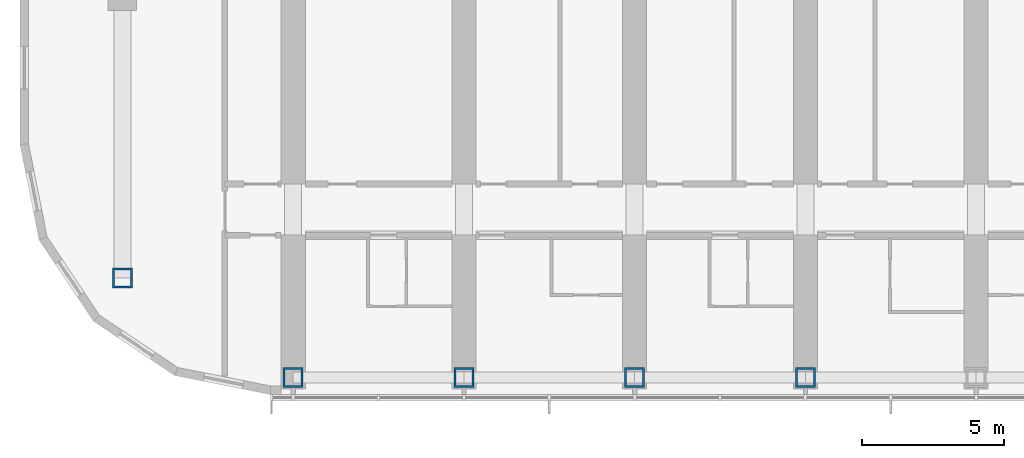
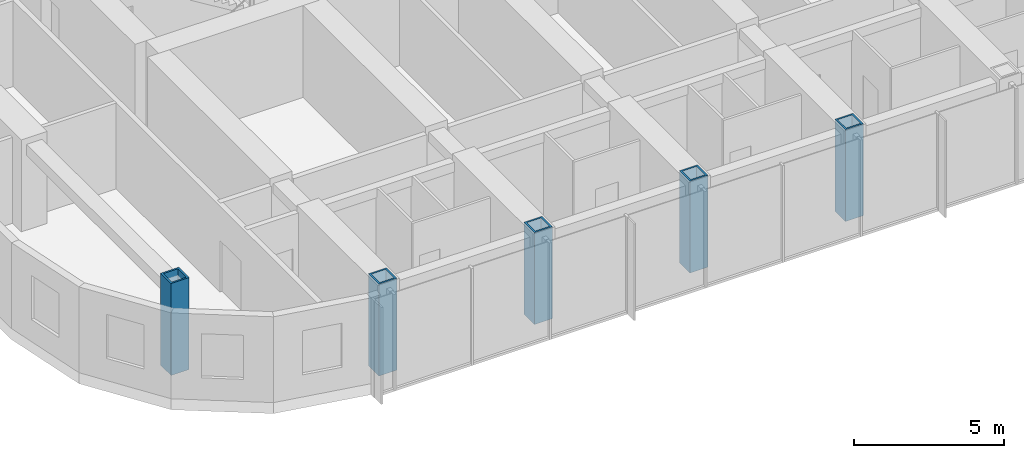
# One storey, part 1 of 29: 5 columns.
"""IFC4 building model written with IfcOpenShell, lengths in metres."""

import ifcopenshell
import ifcopenshell.guid

model = None  # the IFC model being written
_history = None  # IfcOwnerHistory: only IFC2X3 demands one
_inside = {}  # id of a spatial element -> (the spatial element, [elements in it])
_under = {}  # id of a project, library or spatial element -> (it, [spatial elements below it])
_declared = {}  # id of a project -> (the project, [libraries it declares])
_typed = {}  # id of a type object -> (the type object, [elements of that type])
_made_of = {}  # id of a material, layer set ... -> (it, [elements and type objects made of it])


def new_model(schema):
    """Start an empty IFC model of exactly this schema.

    Asked for "IFC4X3", IfcOpenShell would pick the latest addendum, in which some entities
    have other attributes; the version numbers below select the first issue.
    IFC2X3 requires an IfcOwnerHistory on every rooted entity: one is made here for all.
    """
    global model, _history
    if schema == "IFC4X3":
        model = ifcopenshell.file(schema_version=(4, 3, 0, 0))
    else:
        model = ifcopenshell.file(schema=schema)
    _inside.clear()
    _under.clear()
    _declared.clear()
    _typed.clear()
    _made_of.clear()
    _history = None
    if model.schema == "IFC2X3":
        org = make("IfcOrganization", Name="unknown")
        user = make(
            "IfcPersonAndOrganization",
            ThePerson=make("IfcPerson", FamilyName="unknown"),
            TheOrganization=org,
        )
        app = make(
            "IfcApplication",
            ApplicationDeveloper=org,
            Version="unknown",
            ApplicationFullName="unknown",
            ApplicationIdentifier="unknown",
        )
        _history = make(
            "IfcOwnerHistory",
            OwningUser=user,
            OwningApplication=app,
            ChangeAction="ADDED",
            CreationDate=0,
        )
    return model


def make(cls, **values):
    """One entity of the class cls with the attributes given. An attribute that is None is left unset."""
    return model.create_entity(
        cls, **{name: value for name, value in values.items() if value is not None}
    )


def rooted(cls, **values):
    """An entity with a GlobalId (a new one), such as an element, a storey or a relation."""
    return make(cls, GlobalId=ifcopenshell.guid.new(), OwnerHistory=_history, **values)


def si_unit(unit_type, name, prefix=None):
    """IfcSIUnit, for example si_unit("LENGTHUNIT", "METRE", prefix="MILLI")."""
    return make("IfcSIUnit", UnitType=unit_type, Prefix=prefix, Name=name)


def assignment(units):
    """IfcUnitAssignment: the units of a project."""
    return None if units is None else make("IfcUnitAssignment", Units=units)


def point(xyz):
    """IfcCartesianPoint."""
    return None if xyz is None else make("IfcCartesianPoint", Coordinates=xyz)


def direction(xyz):
    """IfcDirection."""
    return None if xyz is None else make("IfcDirection", DirectionRatios=xyz)


def frame(location, z_axis=None, x_axis=None):
    """IfcAxis2Placement3D, a coordinate frame: its origin and axes. An axis left out is left unset."""
    return make(
        "IfcAxis2Placement3D",
        Location=point(location),
        Axis=direction(z_axis),
        RefDirection=direction(x_axis),
    )


def frame_2d(location, x_axis=None):
    """IfcAxis2Placement2D, a coordinate frame in the plane: its origin and x axis."""
    return make(
        "IfcAxis2Placement2D", Location=point(location), RefDirection=direction(x_axis)
    )


def origin():
    """The frame at (0, 0, 0) with its axes left unset."""
    return frame((0.0, 0.0, 0.0))


def origin_2d():
    """The frame at (0, 0) in the plane with its x axis left unset."""
    return frame_2d((0.0, 0.0))


def place(relative_to, where):
    """IfcLocalPlacement: puts the frame where relative to a parent placement (None: the world)."""
    return make(
        "IfcLocalPlacement", PlacementRelTo=relative_to, RelativePlacement=where
    )


def context(
    kind, dimensions, precision=None, world=None, true_north=None, identifier=None
):
    """IfcGeometricRepresentationContext, for example the 3D "Model" context."""
    return make(
        "IfcGeometricRepresentationContext",
        ContextIdentifier=identifier,
        ContextType=kind,
        CoordinateSpaceDimension=dimensions,
        Precision=precision,
        WorldCoordinateSystem=world,
        TrueNorth=true_north,
    )


def subcontext(parent, identifier, kind, view, scale=None):
    """IfcGeometricRepresentationSubContext, for example "Body" below "Model"."""
    return make(
        "IfcGeometricRepresentationSubContext",
        ContextIdentifier=identifier,
        ContextType=kind,
        ParentContext=parent,
        TargetScale=scale,
        TargetView=view,
    )


def project(units=None, contexts=None):
    """IfcProject with its units and contexts."""
    return rooted(
        "IfcProject",
        Name="project",
        RepresentationContexts=contexts,
        UnitsInContext=assignment(units),
    )


def spatial(cls, under=None, at=None, **own):
    """A site, building, storey or space (cls), placed at a placement, below another one or the project."""
    s = rooted(cls, ObjectPlacement=at, **own)
    if under is not None:
        _under.setdefault(under.id(), (under, []))[1].append(s)
    return s


def profile(cls, at=None, kind="AREA", **sizes):
    """A parametric profile (cls). Its sizes go by their IFC names, for example OverallWidth=200.0."""
    return make(cls, ProfileType=kind, Position=at, **sizes)


def hollow_rectangle(**sizes):
    """IfcRectangleHollowProfileDef."""
    return profile("IfcRectangleHollowProfileDef", **sizes)


def extrude(swept, where, along, depth):
    """IfcExtrudedAreaSolid: the profile swept, set in the frame where, extruded along a direction by depth."""
    return make(
        "IfcExtrudedAreaSolid",
        SweptArea=swept,
        Position=where,
        ExtrudedDirection=direction(along),
        Depth=depth,
    )


def shape(context_of_items, identifier, shape_type, items):
    """IfcShapeRepresentation: the items that make up one representation, for example the "Body"."""
    return make(
        "IfcShapeRepresentation",
        ContextOfItems=context_of_items,
        RepresentationIdentifier=identifier,
        RepresentationType=shape_type,
        Items=items,
    )


def material(Name=None, Category=None):
    """IfcMaterial."""
    return make("IfcMaterial", Name=Name, Category=Category)


def material_profile(
    of_material, cross_section, Name=None, Category=None, Priority=None
):
    """IfcMaterialProfile: a cross section and its material."""
    return make(
        "IfcMaterialProfile",
        Name=Name,
        Material=of_material,
        Profile=cross_section,
        Priority=Priority,
        Category=Category,
    )


def profile_set(profiles, Name=None, composite=None):
    """IfcMaterialProfileSet."""
    return make(
        "IfcMaterialProfileSet",
        Name=Name,
        MaterialProfiles=profiles,
        CompositeProfile=composite,
    )


def made_of(thing, what):
    """Note that an element or type object is made of a material, layer set ...; save() writes the relation."""
    if what is not None:
        _made_of.setdefault(what.id(), (what, []))[1].append(thing)
    return thing


def type_object(cls, material=None, **own):
    """A type object (cls), such as IfcWallType, which elements share."""
    return made_of(rooted(cls, **own), material)


def element(
    cls,
    number,
    at=None,
    inside=None,
    cuts=None,
    type_object=None,
    material=None,
    context=None,
    identifier="Body",
    shape_type=None,
    held_by="IfcProductDefinitionShape",
    body=None,
    shapes=None,
    **own,
):
    """One element of the class cls, such as IfcWall. Its Tag is "e" and its number.

    at: its placement. inside: the storey or other place that contains it. cuts: it is an
    opening in that element (IfcRelVoidsElement). A single representation is given by context,
    identifier, shape_type and body (its items); several are given by shapes. held_by: the class
    of the entity that holds the representations. save() writes the other relations.
    """
    e = rooted(cls, Tag="e%d" % number, ObjectPlacement=at, **own)
    if body is not None:
        shapes = [shape(context, identifier, shape_type, body)]
    if shapes is not None:
        e.Representation = make(held_by, Representations=shapes)
    if inside is not None:
        _inside.setdefault(inside.id(), (inside, []))[1].append(e)
    if cuts is not None:
        rooted(
            "IfcRelVoidsElement", RelatingBuildingElement=cuts, RelatedOpeningElement=e
        )
    if type_object is not None:
        _typed.setdefault(type_object.id(), (type_object, []))[1].append(e)
    return made_of(e, material)


def aggregate(whole, parts):
    """IfcRelAggregates: a whole, such as a stair, and the parts it consists of."""
    return rooted("IfcRelAggregates", RelatingObject=whole, RelatedObjects=parts)


def save(model, path):
    """Write the relations noted so far, then the file.

    IfcRelAggregates (storeys below a building ...), IfcRelContainedInSpatialStructure (elements
    in a storey), IfcRelDefinesByType, IfcRelAssociatesMaterial and IfcRelDeclares: one each for
    every whole, place, type object, material and project.
    """
    for whole, parts in _under.values():
        aggregate(whole, parts)
    for where, things in _inside.values():
        rooted(
            "IfcRelContainedInSpatialStructure",
            RelatedElements=things,
            RelatingStructure=where,
        )
    for kind, things in _typed.values():
        rooted("IfcRelDefinesByType", RelatedObjects=things, RelatingType=kind)
    for what, things in _made_of.values():
        rooted("IfcRelAssociatesMaterial", RelatedObjects=things, RelatingMaterial=what)
    for by, libraries in _declared.values():
        rooted("IfcRelDeclares", RelatingContext=by, RelatedDefinitions=libraries)
    model.write(path)


model = new_model("IFC4")

# Units and contexts
model_context = context("Model", 3, precision=1e-05, world=origin(), true_north=direction((0.0, 1.0)))
body_context = subcontext(model_context, "Body", "Model", "MODEL_VIEW")
ifc_project = project(units=[si_unit("LENGTHUNIT", "METRE"), si_unit("AREAUNIT", "SQUARE_METRE"), si_unit("VOLUMEUNIT", "CUBIC_METRE"), si_unit("PLANEANGLEUNIT", "RADIAN"), si_unit("MASSUNIT", "GRAM", prefix="KILO")], contexts=[model_context])

# Site, building, storey
site_placement = place(None, origin())
site = spatial("IfcSite", under=ifc_project, at=site_placement, CompositionType="ELEMENT")
building_placement = place(site_placement, origin())
building = spatial("IfcBuilding", under=site, at=building_placement, Name="Orbita Commons", CompositionType="ELEMENT")
storey_placement = place(building_placement, frame((0.0, 0.0, 163.60009765625)))
storey = spatial("IfcBuildingStorey", under=building, at=storey_placement, Name="L40", CompositionType="ELEMENT", Elevation=163.60009765625)

# Columns
ifc_material = material(Name="Steel ASTM A572 Gr 50 welded plate", Category="steel")
ifc_material_profile = material_profile(ifc_material, hollow_rectangle(XDim=0.699951171875, YDim=0.699951171875, WallThickness=0.070068359375, at=origin_2d()), Name="BOX 700x700x70")
ifc_profile_set = profile_set([ifc_material_profile], Name="Steel ASTM A572 Gr 50 welded plate")
column_type = type_object("IfcColumnType", Name="Steel column BOX 700x700x70", PredefinedType="COLUMN", material=ifc_profile_set)
for number, where, z_axis, x_axis, name in (
    (1, (18.0, 10.39990234375, 0.0), (0.0, 0.0, 1.0), (1.0, 0.0, 0.0), "Column 4/B L40"),
    (2, (24.0, 10.39990234375, 0.0), (0.0, 0.0, 1.0), (1.0, 0.0, 0.0), "Column 5/B L40"),
    (3, (30.0, 10.39990234375, 0.0), (0.0, 0.0, 1.0), (1.0, 0.0, 0.0), "Column 6/B L40"),
    (4, (36.0, 10.39990234375, 0.0), (0.0, 0.0, 1.0), (1.0, 0.0, 0.0), "Column 7/B L40"),
    (5, (12.0, 13.89990234375, 0.0), (0.0, 0.0, 1.0), (1.0, 0.0, 0.0), "Column 3/13.9 L40"),
):
    element("IfcColumn", number, at=place(storey_placement, frame(where, z_axis=z_axis, x_axis=x_axis)), inside=storey, type_object=column_type, Name=name, PredefinedType="COLUMN", context=body_context, shape_type="SweptSolid", body=[
        extrude(hollow_rectangle(XDim=0.699951171875, YDim=0.699951171875, WallThickness=0.070068359375, at=origin_2d()), origin(), (0.0, 0.0, 1.0), 3.75),
    ])

save(model, "model.ifc")
